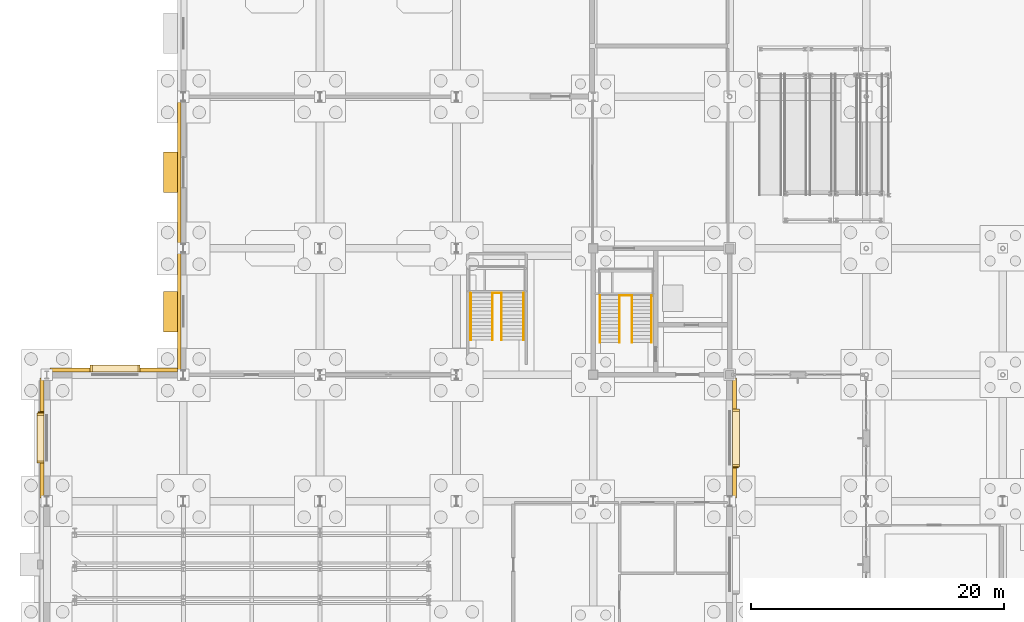
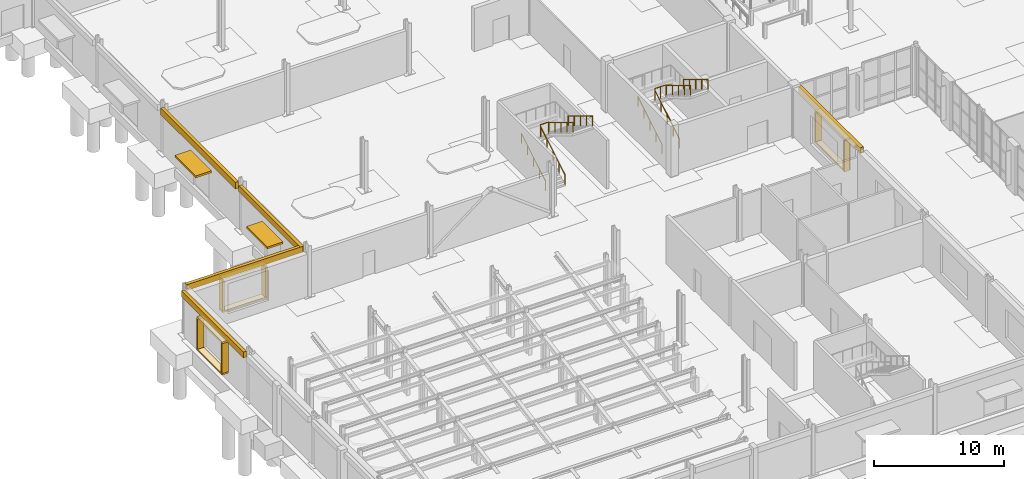
# One storey, part 62 of 73: 17 coverings, 10 railings, 4 shading devices.
"""IFC4 building model written with IfcOpenShell, lengths in metres."""

from ifc_helpers import new_model, si_unit, direction, frame, origin, origin_2d, place, context, subcontext, project, spatial, rectangle, circle, extrude, material, layer, layer_set, type_object, element, save


model = new_model("IFC4")

# Units and contexts
model_context = context("Model", 3, precision=1e-05, world=origin(), true_north=direction((0.0, 1.0)))
body_context = subcontext(model_context, "Body", "Model", "MODEL_VIEW")
ifc_project = project(units=[si_unit("LENGTHUNIT", "METRE"), si_unit("AREAUNIT", "SQUARE_METRE"), si_unit("VOLUMEUNIT", "CUBIC_METRE"), si_unit("PLANEANGLEUNIT", "RADIAN"), si_unit("MASSUNIT", "GRAM", prefix="KILO")], contexts=[model_context])

# Site, building, storey
site_placement = place(None, origin())
site = spatial("IfcSite", under=ifc_project, at=site_placement, CompositionType="ELEMENT")
building_placement = place(site_placement, origin())
building = spatial("IfcBuilding", under=site, at=building_placement, Name="Tasgan Crest Museum", CompositionType="ELEMENT")
storey_placement = place(building_placement, origin())
storey = spatial("IfcBuildingStorey", under=building, at=storey_placement, Name="L00", CompositionType="ELEMENT", Elevation=0.0)

# Coverings
ifc_material_1 = material(Name="Honed Rose-Red Mongolian Granite", Category="masonry")
ifc_layer_1 = layer(ifc_material_1, 0.0400390625, Name="COV-GRANITE-ROSE")
ifc_layer_set_1 = layer_set([ifc_layer_1], Name="Honed Rose-Red Mongolian Granite")
covering_type_1 = type_object("IfcCoveringType", Name="COV-GRANITE-ROSE", PredefinedType="CLADDING", material=ifc_layer_set_1)
covering_1_placement = place(storey_placement, frame((-0.3798828125, 35.0, 3.9599609375), z_axis=(0.0, 0.0, 1.0), x_axis=(0.0, -1.0, 0.0)))
element("IfcCovering", 1, at=covering_1_placement, inside=storey, type_object=covering_type_1, Name="Stone frieze cladding L00", PredefinedType="CLADDING", context=body_context, shape_type="SweptSolid", body=[
    extrude(rectangle(XDim=9.510009765625, YDim=0.280029296875, at=origin_2d()), origin(), (0.0, 0.0, 1.0), 0.550048828125),
])
for number, where, z_axis, x_axis, name in (
    (2, (-0.514892578125, 36.889892578125, 0.89990234375), (0.0, 0.0, 1.0), (0.0, -1.0, 0.0), "Deep window reveal jamb L00-001"),
    (3, (-0.514892578125, 33.110107421875, 0.89990234375), (0.0, 0.0, 1.0), (0.0, -1.0, 0.0), "Deep window reveal jamb L00-001"),
):
    element("IfcCovering", number, at=place(storey_placement, frame(where, z_axis=z_axis, x_axis=x_axis)), inside=storey, type_object=covering_type_1, Name=name, PredefinedType="CLADDING", context=body_context, shape_type="SweptSolid", body=[
        extrude(rectangle(XDim=0.179931640625, YDim=0.550048828125, at=origin_2d()), origin(), (0.0, 0.0, 1.0), 2.800048828125),
    ])
covering_2_placement = place(storey_placement, frame((54.3798828125, 35.0, 3.9599609375), z_axis=(0.0, 0.0, 1.0), x_axis=(0.0, 1.0, 0.0)))
element("IfcCovering", 4, at=covering_2_placement, inside=storey, type_object=covering_type_1, Name="Stone frieze cladding L00", PredefinedType="CLADDING", context=body_context, shape_type="SweptSolid", body=[
    extrude(rectangle(XDim=9.510009765625, YDim=0.280029296875, at=origin_2d()), origin(), (0.0, 0.0, 1.0), 0.550048828125),
])
for number, where, z_axis, x_axis, name in (
    (5, (54.514892578125, 32.81005859375, 0.89990234375), (0.0, 0.0, 1.0), (0.0, 1.0, 0.0), "Deep window reveal jamb L00-005"),
    (6, (54.514892578125, 37.18994140625, 0.89990234375), (0.0, 0.0, 1.0), (0.0, 1.0, 0.0), "Deep window reveal jamb L00-005"),
):
    element("IfcCovering", number, at=place(storey_placement, frame(where, z_axis=z_axis, x_axis=x_axis)), inside=storey, type_object=covering_type_1, Name=name, PredefinedType="CLADDING", context=body_context, shape_type="SweptSolid", body=[
        extrude(rectangle(XDim=0.179931640625, YDim=0.550048828125, at=origin_2d()), origin(), (0.0, 0.0, 1.0), 2.699951171875),
    ])
covering_3_placement = place(storey_placement, frame((5.39990234375, 40.3798828125, 3.958984375), z_axis=(0.0, 0.0, 1.0), x_axis=(-1.0, 0.0, 0.0)))
element("IfcCovering", 7, at=covering_3_placement, inside=storey, type_object=covering_type_1, Name="Stone frieze cladding L00", PredefinedType="CLADDING", context=body_context, shape_type="SweptSolid", body=[
    extrude(rectangle(XDim=10.31005859375, YDim=0.280029296875, at=origin_2d()), origin(), (0.0, 0.0, 1.0), 0.551025390625),
])
for number, where, z_axis, x_axis, name in (
    (8, (7.2900390625, 40.514892578125, 0.89990234375), (0.0, 0.0, 1.0), (-1.0, 0.0, 0.0), "Deep window reveal jamb L00-020"),
    (9, (3.510009765625, 40.514892578125, 0.89990234375), (0.0, 0.0, 1.0), (-1.0, 0.0, 0.0), "Deep window reveal jamb L00-020"),
):
    element("IfcCovering", number, at=place(storey_placement, frame(where, z_axis=z_axis, x_axis=x_axis)), inside=storey, type_object=covering_type_1, Name=name, PredefinedType="CLADDING", context=body_context, shape_type="SweptSolid", body=[
        extrude(rectangle(XDim=0.179931640625, YDim=0.550048828125, at=origin_2d()), origin(), (0.0, 0.0, 1.0), 2.800048828125),
    ])
ifc_material_2 = material(Name="Honed Buff Limestone", Category="masonry")
ifc_layer_2 = layer(ifc_material_2, 0.044921875, Name="COV-LIMESTONE-BUFF")
ifc_layer_set_2 = layer_set([ifc_layer_2], Name="Honed Buff Limestone")
covering_type_2 = type_object("IfcCoveringType", Name="COV-LIMESTONE-BUFF", PredefinedType="CLADDING", material=ifc_layer_set_2)
covering_4_placement = place(storey_placement, frame((-0.514892578125, 35.0, 3.7001953125), z_axis=(0.0, 0.0, 1.0), x_axis=(0.0, -1.0, 0.0)))
element("IfcCovering", 10, at=covering_4_placement, inside=storey, type_object=covering_type_2, Name="Deep window hood L00-001", PredefinedType="CLADDING", context=body_context, shape_type="SweptSolid", body=[
    extrude(rectangle(XDim=3.9599609375, YDim=0.550048828125, at=origin_2d()), origin(), (0.0, 0.0, 1.0), 0.179931640625),
])
covering_5_placement = place(storey_placement, frame((-0.514892578125, 35.0, 0.76025390625), z_axis=(0.0, 0.0, 1.0), x_axis=(0.0, -1.0, 0.0)))
element("IfcCovering", 11, at=covering_5_placement, inside=storey, type_object=covering_type_2, Name="Deep window sill L00-001", PredefinedType="CLADDING", context=body_context, shape_type="SweptSolid", body=[
    extrude(rectangle(XDim=3.9599609375, YDim=0.550048828125, at=origin_2d()), origin(), (0.0, 0.0, 1.0), 0.139892578125),
])
covering_6_placement = place(storey_placement, frame((54.514892578125, 35.0, 3.60009765625), z_axis=(0.0, 0.0, 1.0), x_axis=(0.0, 1.0, 0.0)))
element("IfcCovering", 12, at=covering_6_placement, inside=storey, type_object=covering_type_2, Name="Deep window hood L00-005", PredefinedType="CLADDING", context=body_context, shape_type="SweptSolid", body=[
    extrude(rectangle(XDim=4.56005859375, YDim=0.550048828125, at=origin_2d()), origin(), (0.0, 0.0, 1.0), 0.179931640625),
])
covering_7_placement = place(storey_placement, frame((54.514892578125, 35.0, 0.76025390625), z_axis=(0.0, 0.0, 1.0), x_axis=(0.0, 1.0, 0.0)))
element("IfcCovering", 13, at=covering_7_placement, inside=storey, type_object=covering_type_2, Name="Deep window sill L00-005", PredefinedType="CLADDING", context=body_context, shape_type="SweptSolid", body=[
    extrude(rectangle(XDim=4.56005859375, YDim=0.550048828125, at=origin_2d()), origin(), (0.0, 0.0, 1.0), 0.139892578125),
])
covering_8_placement = place(storey_placement, frame((10.469970703125, 56.0, 3.888916015625), z_axis=(0.0, 0.0, 1.0), x_axis=(0.0, -1.0, 0.0)))
element("IfcCovering", 14, at=covering_8_placement, inside=storey, type_object=covering_type_2, Name="Stone frieze cladding L00", PredefinedType="CLADDING", context=body_context, shape_type="SweptSolid", body=[
    extrude(rectangle(XDim=11.510009765625, YDim=0.280029296875, at=origin_2d()), origin(), (0.0, 0.0, 1.0), 0.62109375),
])
covering_9_placement = place(storey_placement, frame((10.469970703125, 45.0, 3.9599609375), z_axis=(0.0, 0.0, 1.0), x_axis=(0.0, -1.0, 0.0)))
element("IfcCovering", 15, at=covering_9_placement, inside=storey, type_object=covering_type_2, Name="Stone frieze cladding L00", PredefinedType="CLADDING", context=body_context, shape_type="SweptSolid", body=[
    extrude(rectangle(XDim=9.510009765625, YDim=0.280029296875, at=origin_2d()), origin(), (0.0, 0.0, 1.0), 0.550048828125),
])
covering_10_placement = place(storey_placement, frame((5.39990234375, 40.514892578125, 3.7001953125), z_axis=(0.0, 0.0, 1.0), x_axis=(-1.0, 0.0, 0.0)))
element("IfcCovering", 16, at=covering_10_placement, inside=storey, type_object=covering_type_2, Name="Deep window hood L00-020", PredefinedType="CLADDING", context=body_context, shape_type="SweptSolid", body=[
    extrude(rectangle(XDim=3.9599609375, YDim=0.550048828125, at=origin_2d()), origin(), (0.0, 0.0, 1.0), 0.179931640625),
])
covering_11_placement = place(storey_placement, frame((5.39990234375, 40.514892578125, 0.76025390625), z_axis=(0.0, 0.0, 1.0), x_axis=(-1.0, 0.0, 0.0)))
element("IfcCovering", 17, at=covering_11_placement, inside=storey, type_object=covering_type_2, Name="Deep window sill L00-020", PredefinedType="CLADDING", context=body_context, shape_type="SweptSolid", body=[
    extrude(rectangle(XDim=3.9599609375, YDim=0.550048828125, at=origin_2d()), origin(), (0.0, 0.0, 1.0), 0.139892578125),
])

# Railings
ifc_material_3 = material(Name="Brushed Bronze and Toughened Glass", Category="glass")
railing_type_1 = type_object("IfcRailingType", Name="RL-INT-GUARD-1120", PredefinedType="GUARDRAIL", material=ifc_material_3)
railing_1_placement = place(storey_placement, frame((45.280029296875, 46.27490234375, 2.39990234375)))
element("IfcRailing", 18, at=railing_1_placement, inside=storey, type_object=railing_type_1, Name="Stair half-landing well guard ST-SW-L00 T1", PredefinedType="GUARDRAIL", context=body_context, shape_type="SweptSolid", body=[
    extrude(circle(Radius=0.02392578125, at=origin_2d()), frame((0.0, 0.0, 1.09619140625), z_axis=(1.0, 0.0, 0.0), x_axis=(0.0, 1.0, 0.0)), (0.0, 0.0, 1.0), 0.989990234375),
    extrude(circle(Radius=0.02099609375, at=origin_2d()), origin(), (0.0, 0.0, 1.0), 1.072021484375),
    extrude(circle(Radius=0.02099609375, at=origin_2d()), frame((0.4951171875, 0.0, 0.0)), (0.0, 0.0, 1.0), 1.072021484375),
    extrude(circle(Radius=0.02099609375, at=origin_2d()), frame((0.989990234375, 0.0, 0.0)), (0.0, 0.0, 1.0), 1.072021484375),
])
railing_2_placement = place(storey_placement, frame((35.239990234375, 46.47509765625, 2.39990234375)))
element("IfcRailing", 19, at=railing_2_placement, inside=storey, type_object=railing_type_1, Name="Stair half-landing well guard ST-GP-L00 T1", PredefinedType="GUARDRAIL", context=body_context, shape_type="SweptSolid", body=[
    extrude(circle(Radius=0.02392578125, at=origin_2d()), frame((0.0, 0.0, 1.09619140625), z_axis=(1.0, 0.0, 0.0), x_axis=(0.0, 1.0, 0.0)), (0.0, 0.0, 1.0), 0.719970703125),
    extrude(circle(Radius=0.02099609375, at=origin_2d()), origin(), (0.0, 0.0, 1.0), 1.072021484375),
    extrude(circle(Radius=0.02099609375, at=origin_2d()), frame((0.719970703125, 0.0, 0.0)), (0.0, 0.0, 1.0), 1.072021484375),
])
ifc_material_4 = material(Name="Brushed Stainless Steel", Category="steel")
railing_type_2 = type_object("IfcRailingType", Name="RL-STAIR-HAND-920", PredefinedType="HANDRAIL", material=ifc_material_4)
for number, where, name in (
    (20, (43.739990234375, 42.550048828125, 0.17138671875), "Stair handrail STAIR-CORE-SW-L00-F1 L"),
    (21, (45.280029296875, 42.550048828125, 0.17138671875), "Stair handrail STAIR-CORE-SW-L00-F1 R"),
):
    element("IfcRailing", number, at=place(storey_placement, frame(where)), inside=storey, type_object=railing_type_2, Name=name, PredefinedType="HANDRAIL", context=body_context, shape_type="SweptSolid", body=[
        extrude(circle(Radius=0.02392578125, at=origin_2d()), frame((0.0, 0.0, 0.89599609375), z_axis=(0.0, 0.856919398105, 0.515450429384), x_axis=(-1.0, 0.0, 0.0)), (0.0, 0.0, 1.0), 4.323486328125),
        extrude(circle(Radius=0.02099609375, at=origin_2d()), origin(), (0.0, 0.0, 1.0), 0.871826171875),
        extrude(circle(Radius=0.02099609375, at=origin_2d()), frame((0.0, 0.92626953125, 0.55712890625)), (0.0, 0.0, 1.0), 0.871826171875),
        extrude(circle(Radius=0.02099609375, at=origin_2d()), frame((0.0, 1.8525390625, 1.1142578125)), (0.0, 0.0, 1.0), 0.871826171875),
        extrude(circle(Radius=0.02099609375, at=origin_2d()), frame((0.0, 2.778564453125, 1.67138671875)), (0.0, 0.0, 1.0), 0.871826171875),
        extrude(circle(Radius=0.02099609375, at=origin_2d()), frame((0.0, 3.704833984375, 2.228515625)), (0.0, 0.0, 1.0), 0.871826171875),
    ])
for number, where, name in (
    (22, (47.81005859375, 46.2548828125, 2.5712890625), "Stair handrail STAIR-CORE-SW-L00-F2 L"),
    (23, (46.27001953125, 46.2548828125, 2.5712890625), "Stair handrail STAIR-CORE-SW-L00-F2 R"),
):
    element("IfcRailing", number, at=place(storey_placement, frame(where)), inside=storey, type_object=railing_type_2, Name=name, PredefinedType="HANDRAIL", context=body_context, shape_type="SweptSolid", body=[
        extrude(circle(Radius=0.02392578125, at=origin_2d()), frame((0.0, 0.0, 0.89599609375), z_axis=(0.0, -0.856894455432, 0.515491893485), x_axis=(1.0, 0.0, 0.0)), (0.0, 0.0, 1.0), 4.323486328125),
        extrude(circle(Radius=0.02099609375, at=origin_2d()), origin(), (0.0, 0.0, 1.0), 0.871826171875),
        extrude(circle(Radius=0.02099609375, at=origin_2d()), frame((0.0, -0.92626953125, 0.55712890625)), (0.0, 0.0, 1.0), 0.871826171875),
        extrude(circle(Radius=0.02099609375, at=origin_2d()), frame((0.0, -1.8525390625, 1.1142578125)), (0.0, 0.0, 1.0), 0.871826171875),
        extrude(circle(Radius=0.02099609375, at=origin_2d()), frame((0.0, -2.778564453125, 1.671630859375)), (0.0, 0.0, 1.0), 0.871826171875),
        extrude(circle(Radius=0.02099609375, at=origin_2d()), frame((0.0, -3.704833984375, 2.228759765625)), (0.0, 0.0, 1.0), 0.871826171875),
    ])
for number, where, name in (
    (24, (33.52001953125, 42.75, 0.17138671875), "Stair handrail STAIR-GALP-L00-F1 L"),
    (25, (35.239990234375, 42.75, 0.17138671875), "Stair handrail STAIR-GALP-L00-F1 R"),
):
    element("IfcRailing", number, at=place(storey_placement, frame(where)), inside=storey, type_object=railing_type_2, Name=name, PredefinedType="HANDRAIL", context=body_context, shape_type="SweptSolid", body=[
        extrude(circle(Radius=0.02392578125, at=origin_2d()), frame((0.0, 0.0, 0.89599609375), z_axis=(0.0, 0.856934400257, 0.515425487977), x_axis=(-1.0, 0.0, 0.0)), (0.0, 0.0, 1.0), 4.32373046875),
        extrude(circle(Radius=0.02099609375, at=origin_2d()), origin(), (0.0, 0.0, 1.0), 0.871826171875),
        extrude(circle(Radius=0.02099609375, at=origin_2d()), frame((0.0, 0.92626953125, 0.55712890625)), (0.0, 0.0, 1.0), 0.871826171875),
        extrude(circle(Radius=0.02099609375, at=origin_2d()), frame((0.0, 1.8525390625, 1.1142578125)), (0.0, 0.0, 1.0), 0.871826171875),
        extrude(circle(Radius=0.02099609375, at=origin_2d()), frame((0.0, 2.77880859375, 1.67138671875)), (0.0, 0.0, 1.0), 0.871826171875),
        extrude(circle(Radius=0.02099609375, at=origin_2d()), frame((0.0, 3.705078125, 2.228515625)), (0.0, 0.0, 1.0), 0.871826171875),
    ])
for number, where, name in (
    (26, (37.679931640625, 46.455078125, 2.5712890625), "Stair handrail STAIR-GALP-L00-F2 L"),
    (27, (35.9599609375, 46.455078125, 2.5712890625), "Stair handrail STAIR-GALP-L00-F2 R"),
):
    element("IfcRailing", number, at=place(storey_placement, frame(where)), inside=storey, type_object=railing_type_2, Name=name, PredefinedType="HANDRAIL", context=body_context, shape_type="SweptSolid", body=[
        extrude(circle(Radius=0.02392578125, at=origin_2d()), frame((0.0, 0.0, 0.89599609375), z_axis=(0.0, -0.856909459561, 0.515466951525), x_axis=(1.0, 0.0, 0.0)), (0.0, 0.0, 1.0), 4.32373046875),
        extrude(circle(Radius=0.02099609375, at=origin_2d()), origin(), (0.0, 0.0, 1.0), 0.871826171875),
        extrude(circle(Radius=0.02099609375, at=origin_2d()), frame((0.0, -0.92626953125, 0.55712890625)), (0.0, 0.0, 1.0), 0.871826171875),
        extrude(circle(Radius=0.02099609375, at=origin_2d()), frame((0.0, -1.8525390625, 1.1142578125)), (0.0, 0.0, 1.0), 0.871826171875),
        extrude(circle(Radius=0.02099609375, at=origin_2d()), frame((0.0, -2.77880859375, 1.671630859375)), (0.0, 0.0, 1.0), 0.871826171875),
        extrude(circle(Radius=0.02099609375, at=origin_2d()), frame((0.0, -3.705078125, 2.228759765625)), (0.0, 0.0, 1.0), 0.871826171875),
    ])

# Shading devices
ifc_material_5 = material(Name="Galvanised Steel Snow Canopy", Category="steel")
shading_device_type_1 = type_object("IfcShadingDeviceType", Name="SH-AWNING-SNOW", PredefinedType="AWNING", material=ifc_material_5)
for number, where, z_axis, x_axis, name in (
    (28, (9.909912109375, 56.0, 2.81005859375), (0.0, 0.0, 1.0), (0.0, -1.0, 0.0), "Entrance snow canopy ED014"),
    (29, (9.909912109375, 45.0, 2.81005859375), (0.0, 0.0, 1.0), (0.0, -1.0, 0.0), "Entrance snow canopy ED015"),
):
    element("IfcShadingDevice", number, at=place(storey_placement, frame(where, z_axis=z_axis, x_axis=x_axis)), inside=storey, type_object=shading_device_type_1, Name=name, PredefinedType="AWNING", context=body_context, shape_type="SweptSolid", body=[
        extrude(rectangle(XDim=3.199951171875, YDim=1.39990234375, at=origin_2d()), origin(), (0.0, 0.0, 1.0), 0.179931640625),
    ])
ifc_material_6 = material(Name="Anodised Bronze Aluminium", Category="aluminium")
shading_device_type_2 = type_object("IfcShadingDeviceType", Name="SH-FIN-V400", PredefinedType="JALOUSIE", material=ifc_material_6)
shading_device_1_placement = place(storey_placement, frame((-0.449951171875, 37.02001953125, 0.800048828125), z_axis=(0.0, 0.0, 1.0), x_axis=(0.0, -1.0, 0.0)))
element("IfcShadingDevice", 30, at=shading_device_1_placement, inside=storey, type_object=shading_device_type_2, Name="Solar shading fin L00-001", PredefinedType="JALOUSIE", context=body_context, shape_type="SweptSolid", body=[
    extrude(rectangle(XDim=0.080078125, YDim=0.419921875, at=origin_2d()), origin(), (0.0, 0.0, 1.0), 3.0),
])
shading_device_2_placement = place(storey_placement, frame((54.449951171875, 32.679931640625, 0.800048828125), z_axis=(0.0, 0.0, 1.0), x_axis=(0.0, 1.0, 0.0)))
element("IfcShadingDevice", 31, at=shading_device_2_placement, inside=storey, type_object=shading_device_type_2, Name="Solar shading fin L00-005", PredefinedType="JALOUSIE", context=body_context, shape_type="SweptSolid", body=[
    extrude(rectangle(XDim=0.080078125, YDim=0.419921875, at=origin_2d()), origin(), (0.0, 0.0, 1.0), 2.89990234375),
])

save(model, "model.ifc")
